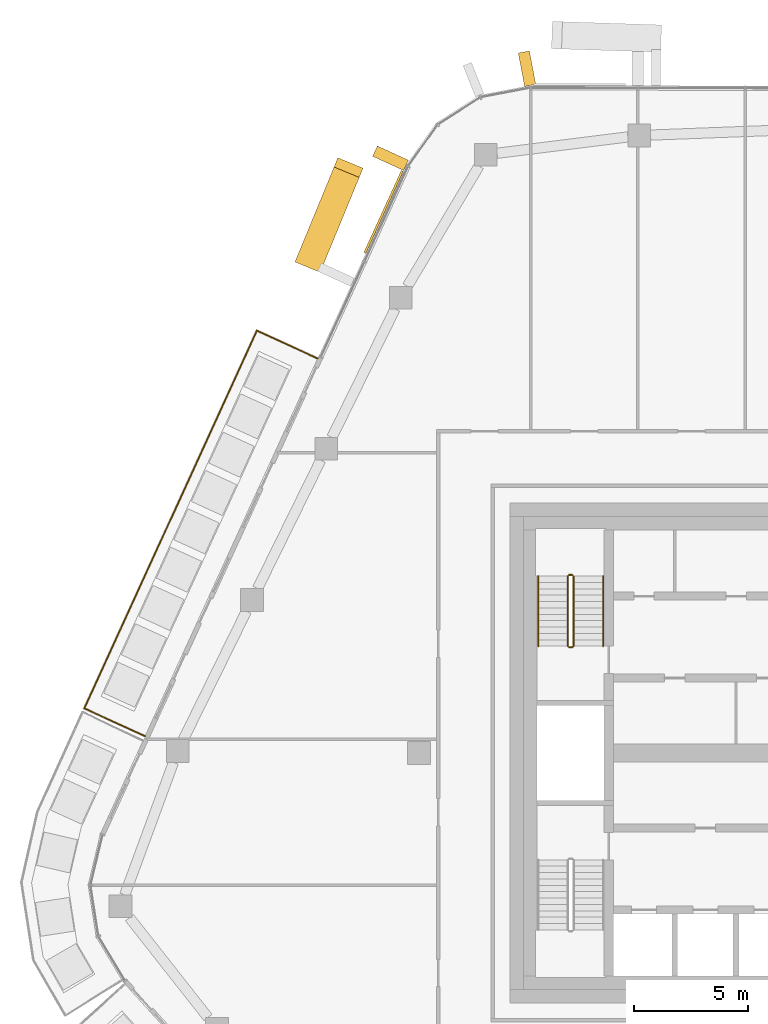
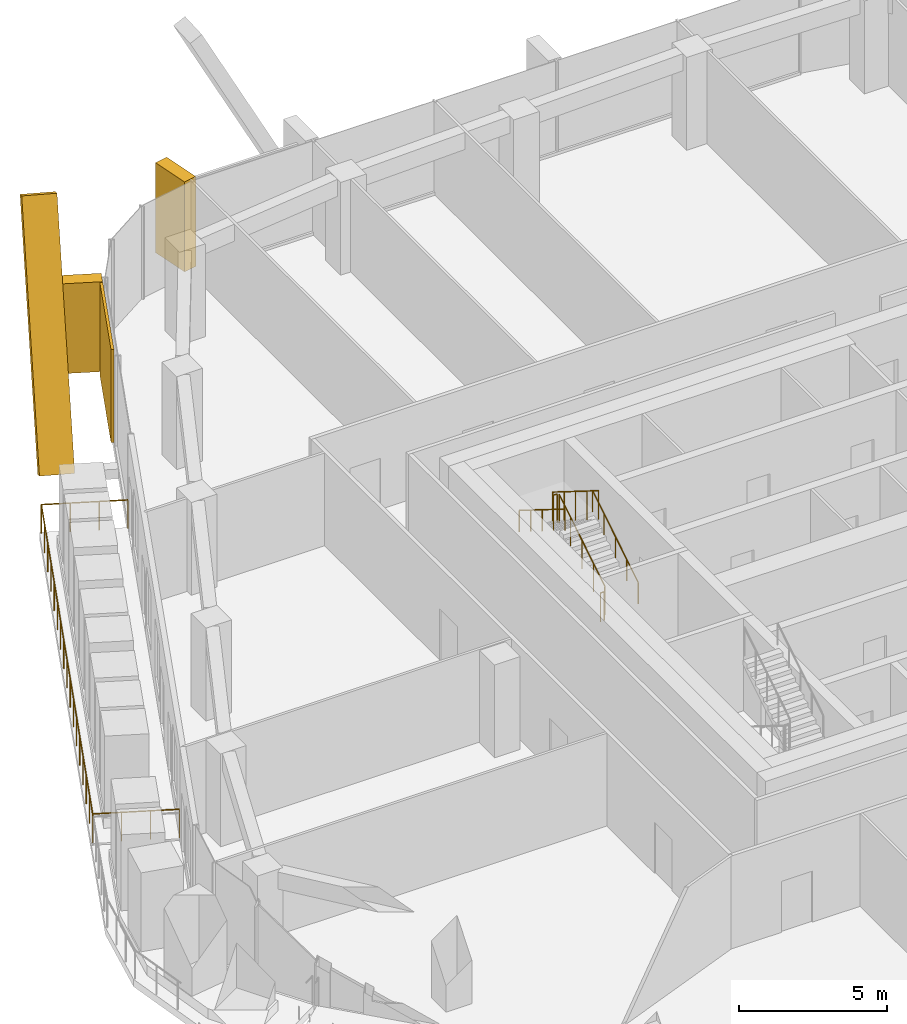
# One storey, part 21 of 24: 7 railings, 4 coverings, 2 elements without a shape of their own.
"""IFC4 building model written with IfcOpenShell, lengths in metres."""

from ifc_helpers import new_model, si_unit, direction, frame, origin, origin_2d, place, context, subcontext, project, spatial, rectangle, circle, extrude, material, layer, layer_set, material_profile, profile_set, type_object, element, aggregate, save


model = new_model("IFC4")

# Units and contexts
model_context = context("Model", 3, precision=1e-05, world=origin(), true_north=direction((0.0, 1.0)))
body_context = subcontext(model_context, "Body", "Model", "MODEL_VIEW")
ifc_project = project(units=[si_unit("LENGTHUNIT", "METRE"), si_unit("AREAUNIT", "SQUARE_METRE"), si_unit("VOLUMEUNIT", "CUBIC_METRE"), si_unit("PLANEANGLEUNIT", "RADIAN"), si_unit("MASSUNIT", "GRAM", prefix="KILO")], contexts=[model_context])

# Site, building, storey
site_placement = place(None, origin())
site = spatial("IfcSite", under=ifc_project, at=site_placement, CompositionType="ELEMENT")
building_placement = place(site_placement, origin())
building = spatial("IfcBuilding", under=site, at=building_placement, Name="Dongbaek Canopy Tower", CompositionType="ELEMENT")
storey_placement = place(building_placement, frame((0.0, 0.0, 311.0)))
storey = spatial("IfcBuildingStorey", under=building, at=storey_placement, Name="L66", CompositionType="ELEMENT", Elevation=311.0)

# Railing
ifc_material_1 = material(Name="Stainless steel", Category="steel")
railing_type_1 = type_object("IfcRailingType", Name="Balcony balustrade 1200", PredefinedType="BALUSTRADE", material=ifc_material_1)
railing_1_placement = place(storey_placement, frame((-22.455078125, 17.355712890625, 0.0)))
element("IfcRailing", 1, at=railing_1_placement, inside=storey, type_object=railing_type_1, Name="Balcony guard L66 2", PredefinedType="BALUSTRADE", context=body_context, shape_type="SweptSolid", body=[
    extrude(circle(Radius=0.02392578125, at=origin_2d()), frame((0.0, 0.0, 1.17578125), z_axis=(-0.90949421215, 0.415716583823, 0.0), x_axis=(-0.415716583823, -0.90949421215, 0.0)), (0.0, 0.0, 1.0), 2.93994140625),
    extrude(circle(Radius=0.02392578125, at=origin_2d()), frame((-2.673828125, 1.22216796875, 1.17578125), z_axis=(-0.41571932956, -0.909492957109, 0.0), x_axis=(0.909492957109, -0.41571932956, 0.0)), (0.0, 0.0, 1.0), 18.2666015625),
    extrude(circle(Radius=0.02392578125, at=origin_2d()), frame((-10.267578125, -15.39111328125, 1.17578125), z_axis=(0.90947716676, -0.415753873274, 0.0), x_axis=(0.415753873274, 0.90947716676, 0.0)), (0.0, 0.0, 1.0), 2.940185546875),
    extrude(circle(Radius=0.02099609375, at=origin_2d()), origin(), (0.0, 0.0, 1.0), 1.15185546875),
    extrude(circle(Radius=0.02099609375, at=origin_2d()), frame((-0.891357421875, 0.407470703125, 0.0)), (0.0, 0.0, 1.0), 1.15185546875),
    extrude(circle(Radius=0.02099609375, at=origin_2d()), frame((-1.782470703125, 0.814697265625, 0.0)), (0.0, 0.0, 1.0), 1.15185546875),
    extrude(circle(Radius=0.02099609375, at=origin_2d()), frame((-2.673828125, 1.22216796875, 0.0)), (0.0, 0.0, 1.0), 1.15185546875),
    extrude(circle(Radius=0.02099609375, at=origin_2d()), frame((-3.1484375, 0.183837890625, 0.0)), (0.0, 0.0, 1.0), 1.15185546875),
    extrude(circle(Radius=0.02099609375, at=origin_2d()), frame((-3.623046875, -0.8544921875, 0.0)), (0.0, 0.0, 1.0), 1.15185546875),
    extrude(circle(Radius=0.02099609375, at=origin_2d()), frame((-4.09765625, -1.892822265625, 0.0)), (0.0, 0.0, 1.0), 1.15185546875),
    extrude(circle(Radius=0.02099609375, at=origin_2d()), frame((-4.572265625, -2.93115234375, 0.0)), (0.0, 0.0, 1.0), 1.15185546875),
    extrude(circle(Radius=0.02099609375, at=origin_2d()), frame((-5.046875, -3.969482421875, 0.0)), (0.0, 0.0, 1.0), 1.15185546875),
    extrude(circle(Radius=0.02099609375, at=origin_2d()), frame((-5.521484375, -5.0078125, 0.0)), (0.0, 0.0, 1.0), 1.15185546875),
    extrude(circle(Radius=0.02099609375, at=origin_2d()), frame((-5.99609375, -6.046142578125, 0.0)), (0.0, 0.0, 1.0), 1.15185546875),
    extrude(circle(Radius=0.02099609375, at=origin_2d()), frame((-6.470703125, -7.08447265625, 0.0)), (0.0, 0.0, 1.0), 1.15185546875),
    extrude(circle(Radius=0.02099609375, at=origin_2d()), frame((-6.9453125, -8.122802734375, 0.0)), (0.0, 0.0, 1.0), 1.15185546875),
    extrude(circle(Radius=0.02099609375, at=origin_2d()), frame((-7.419921875, -9.1611328125, 0.0)), (0.0, 0.0, 1.0), 1.15185546875),
    extrude(circle(Radius=0.02099609375, at=origin_2d()), frame((-7.89453125, -10.199462890625, 0.0)), (0.0, 0.0, 1.0), 1.15185546875),
    extrude(circle(Radius=0.02099609375, at=origin_2d()), frame((-8.369140625, -11.23779296875, 0.0)), (0.0, 0.0, 1.0), 1.15185546875),
    extrude(circle(Radius=0.02099609375, at=origin_2d()), frame((-8.84375, -12.276123046875, 0.0)), (0.0, 0.0, 1.0), 1.15185546875),
    extrude(circle(Radius=0.02099609375, at=origin_2d()), frame((-9.318359375, -13.314453125, 0.0)), (0.0, 0.0, 1.0), 1.15185546875),
    extrude(circle(Radius=0.02099609375, at=origin_2d()), frame((-9.79296875, -14.352783203125, 0.0)), (0.0, 0.0, 1.0), 1.15185546875),
    extrude(circle(Radius=0.02099609375, at=origin_2d()), frame((-10.267578125, -15.39111328125, 0.0)), (0.0, 0.0, 1.0), 1.15185546875),
    extrude(circle(Radius=0.02099609375, at=origin_2d()), frame((-9.376220703125, -15.798583984375, 0.0)), (0.0, 0.0, 1.0), 1.15185546875),
    extrude(circle(Radius=0.02099609375, at=origin_2d()), frame((-8.48486328125, -16.2060546875, 0.0)), (0.0, 0.0, 1.0), 1.15185546875),
    extrude(circle(Radius=0.02099609375, at=origin_2d()), frame((-7.593505859375, -16.613525390625, 0.0)), (0.0, 0.0, 1.0), 1.15185546875),
])

# Curtain wall, coverings
ifc_material_2 = material(Name="Aluminium 6063-T6 pale anodised", Category="aluminium")
ifc_layer_1 = layer(ifc_material_2, 0.199951171875)
ifc_layer_set_1 = layer_set([ifc_layer_1], Name="CW-1 unitised tower curtain wall")
curtain_wall_type = type_object("IfcCurtainWallType", Name="CW-1 unitised tower curtain wall", PredefinedType="NOTDEFINED", material=ifc_layer_set_1)
curtain_wall_1_placement = place(storey_placement, origin())
curtain_wall_1 = element("IfcCurtainWall", 2, at=curtain_wall_1_placement, inside=storey, type_object=curtain_wall_type, Name="CW-1 curtain wall F2.1", PredefinedType="NOTDEFINED")
ifc_material_3 = material(Name="Aluminium 6063-T6 pale metal fin", Category="aluminium")
ifc_material_profile_1 = material_profile(ifc_material_3, rectangle(XDim=1.199951171875, YDim=0.5, at=origin_2d()), Name="Crease fin CF1 500 x 1200 pale metal")
ifc_profile_set_1 = profile_set([ifc_material_profile_1], Name="Aluminium 6063-T6 pale metal fin")
covering_type_1 = type_object("IfcCoveringType", Name="Crease fin CF1 500 x 1200 pale metal", PredefinedType="CLADDING", material=ifc_profile_set_1)
covering_1_placement = place(storey_placement, frame((-22.817138671875, 21.57763671875, -0.18994140625), z_axis=(0.180370444402, 0.437870628938, 0.880758658827), x_axis=(-0.924625473143, 0.380877584552, 0.0)))
covering_1 = element("IfcCovering", 3, at=covering_1_placement, type_object=covering_type_1, Name="Crease fin L66 L68 F2", PredefinedType="CLADDING", context=body_context, shape_type="SweptSolid", body=[
    extrude(rectangle(XDim=1.199951171875, YDim=0.5, at=origin_2d()), origin(), (0.0, 0.0, 1.0), 9.537109375),
])
ifc_material_4 = material(Name="Perforated aluminium 6063-T6 pale metal screen", Category="aluminium")
ifc_layer_2 = layer(ifc_material_4, 0.10009765625)
ifc_layer_set_2 = layer_set([ifc_layer_2], Name="Facet screen FS1 100 pale metal")
covering_type_2 = type_object("IfcCoveringType", Name="Facet screen FS1 100 pale metal", PredefinedType="CLADDING", material=ifc_layer_set_2)
covering_2_placement = place(storey_placement, frame((-19.558349609375, 23.8037109375, 0.0), z_axis=(0.0, 0.0, 1.0), x_axis=(-0.415712594974, -0.909496035384, 0.0)))
covering_2 = element("IfcCovering", 4, at=covering_2_placement, type_object=covering_type_2, Name="Facet screen L66 F2", PredefinedType="CLADDING", context=body_context, shape_type="SweptSolid", body=[
    extrude(rectangle(XDim=3.97021484375, YDim=0.10009765625, at=origin_2d()), origin(), (0.0, 0.0, 1.0), 3.820068359375),
])

# Curtain wall, covering
curtain_wall_2_placement = place(storey_placement, origin())
curtain_wall_2 = element("IfcCurtainWall", 5, at=curtain_wall_2_placement, inside=storey, type_object=curtain_wall_type, Name="CW-1 curtain wall K2.1", PredefinedType="NOTDEFINED")
ifc_material_5 = material(Name="Aluminium 6063-T6 pale metal fin", Category="aluminium")
ifc_material_profile_2 = material_profile(ifc_material_5, rectangle(XDim=1.5, YDim=0.5, at=origin_2d()), Name="Fin FN1 500 x 1500 pale metal")
ifc_profile_set_2 = profile_set([ifc_material_profile_2], Name="Aluminium 6063-T6 pale metal fin")
covering_type_3 = type_object("IfcCoveringType", Name="Fin FN1 500 x 1500 pale metal", PredefinedType="CLADDING", material=ifc_profile_set_2)
covering_3_placement = place(storey_placement, frame((-13.24658203125, 30.10302734375, 0.1201171875), z_axis=(0.0, 0.0, 1.0), x_axis=(-0.187413340747, 0.982281140871, 0.0)))
covering_3 = element("IfcCovering", 6, at=covering_3_placement, type_object=covering_type_3, Name="Fin K2.1.1", PredefinedType="CLADDING", context=body_context, shape_type="SweptSolid", body=[
    extrude(rectangle(XDim=1.5, YDim=0.5, at=origin_2d()), origin(), (0.0, 0.0, 1.0), 3.699951171875),
])
aggregate(curtain_wall_2, [covering_3])

# Covering
covering_4_placement = place(storey_placement, frame((-19.2529296875, 26.16552734375, 0.1201171875), z_axis=(0.0, 0.0, 1.0), x_axis=(-0.909495883664, 0.415712926909, 0.0)))
covering_4 = element("IfcCovering", 7, at=covering_4_placement, type_object=covering_type_3, Name="Fin F2.1.1", PredefinedType="CLADDING", context=body_context, shape_type="SweptSolid", body=[
    extrude(rectangle(XDim=1.5, YDim=0.5, at=origin_2d()), origin(), (0.0, 0.0, 1.0), 3.699951171875),
])

aggregate(curtain_wall_1, [covering_4, covering_1, covering_2])

# Railings
ifc_material_6 = material(Name="Stainless steel tube and balusters", Category="steel")
railing_type_2 = type_object("IfcRailingType", Name="Stair guard 1200", PredefinedType="GUARDRAIL", material=ifc_material_6)
railing_2_placement = place(storey_placement, frame((-11.199951171875, 4.699951171875, 0.175048828125)))
element("IfcRailing", 8, at=railing_2_placement, inside=storey, type_object=railing_type_2, Name="L66 ST-C stair guard 1", PredefinedType="GUARDRAIL", context=body_context, shape_type="SweptSolid", body=[
    extrude(circle(Radius=0.02392578125, at=origin_2d()), frame((0.0, 0.0, 1.17578125), z_axis=(0.0, 0.847998304005, 0.529998940003), x_axis=(-1.0, 0.0, 0.0)), (0.0, 0.0, 1.0), 3.632080078125),
    extrude(circle(Radius=0.02099609375, at=origin_2d()), origin(), (0.0, 0.0, 1.0), 1.15185546875),
    extrude(circle(Radius=0.02099609375, at=origin_2d()), frame((0.0, 0.77001953125, 0.481201171875)), (0.0, 0.0, 1.0), 1.15185546875),
    extrude(circle(Radius=0.02099609375, at=origin_2d()), frame((0.0, 1.5400390625, 0.96240234375)), (0.0, 0.0, 1.0), 1.15185546875),
    extrude(circle(Radius=0.02099609375, at=origin_2d()), frame((0.0, 2.31005859375, 1.44384765625)), (0.0, 0.0, 1.0), 1.15185546875),
    extrude(circle(Radius=0.02099609375, at=origin_2d()), frame((0.0, 3.080078125, 1.925048828125)), (0.0, 0.0, 1.0), 1.15185546875),
])
railing_3_placement = place(storey_placement, frame((-11.25, 7.830078125, 2.10009765625)))
element("IfcRailing", 9, at=railing_3_placement, inside=storey, type_object=railing_type_2, Name="L66 ST-C stair guard 2", PredefinedType="GUARDRAIL", context=body_context, shape_type="SweptSolid", body=[
    extrude(circle(Radius=0.02392578125, at=origin_2d()), frame((0.0, 0.0, 1.17578125), z_axis=(-1.0, 0.0, 0.0), x_axis=(0.0, -1.0, 0.0)), (0.0, 0.0, 1.0), 0.14990234375),
    extrude(circle(Radius=0.02099609375, at=origin_2d()), origin(), (0.0, 0.0, 1.0), 1.15185546875),
    extrude(circle(Radius=0.02099609375, at=origin_2d()), frame((-0.14990234375, 0.0, 0.0)), (0.0, 0.0, 1.0), 1.15185546875),
])
railing_4_placement = place(storey_placement, frame((-11.449951171875, 7.780029296875, 2.27490234375)))
element("IfcRailing", 10, at=railing_4_placement, inside=storey, type_object=railing_type_2, Name="L66 ST-C stair guard 3", PredefinedType="GUARDRAIL", context=body_context, shape_type="SweptSolid", body=[
    extrude(circle(Radius=0.02392578125, at=origin_2d()), frame((0.0, 0.0, 1.17578125), z_axis=(0.0, -0.847998304005, 0.529998940003), x_axis=(1.0, 0.0, 0.0)), (0.0, 0.0, 1.0), 3.632080078125),
    extrude(circle(Radius=0.02099609375, at=origin_2d()), origin(), (0.0, 0.0, 1.0), 1.15185546875),
    extrude(circle(Radius=0.02099609375, at=origin_2d()), frame((0.0, -0.77001953125, 0.481201171875)), (0.0, 0.0, 1.0), 1.15185546875),
    extrude(circle(Radius=0.02099609375, at=origin_2d()), frame((0.0, -1.5400390625, 0.96240234375)), (0.0, 0.0, 1.0), 1.15185546875),
    extrude(circle(Radius=0.02099609375, at=origin_2d()), frame((0.0, -2.31005859375, 1.44384765625)), (0.0, 0.0, 1.0), 1.15185546875),
    extrude(circle(Radius=0.02099609375, at=origin_2d()), frame((0.0, -3.080078125, 1.925048828125)), (0.0, 0.0, 1.0), 1.15185546875),
])
railing_5_placement = place(storey_placement, frame((-11.25, 4.64990234375, 0.0)))
element("IfcRailing", 11, at=railing_5_placement, inside=storey, type_object=railing_type_2, Name="L66 ST-C stair guard 4", PredefinedType="GUARDRAIL", context=body_context, shape_type="SweptSolid", body=[
    extrude(circle(Radius=0.02392578125, at=origin_2d()), frame((0.0, 0.0, 1.17578125), z_axis=(-1.0, 0.0, 0.0), x_axis=(0.0, -1.0, 0.0)), (0.0, 0.0, 1.0), 0.14990234375),
    extrude(circle(Radius=0.02099609375, at=origin_2d()), origin(), (0.0, 0.0, 1.0), 1.15185546875),
    extrude(circle(Radius=0.02099609375, at=origin_2d()), frame((-0.14990234375, 0.0, 0.0)), (0.0, 0.0, 1.0), 1.15185546875),
])
ifc_material_7 = material(Name="Stainless steel tube", Category="steel")
railing_type_3 = type_object("IfcRailingType", Name="Stair handrail 900", PredefinedType="HANDRAIL", material=ifc_material_7)
railing_6_placement = place(storey_placement, frame((-9.89990234375, 4.699951171875, 0.175048828125)))
element("IfcRailing", 12, at=railing_6_placement, inside=storey, type_object=railing_type_3, Name="L66 ST-C stair handrail 1", PredefinedType="HANDRAIL", context=body_context, shape_type="SweptSolid", body=[
    extrude(circle(Radius=0.02392578125, at=origin_2d()), frame((0.0, 0.0, 0.8759765625), z_axis=(0.0, 0.847998304005, 0.529998940003), x_axis=(-1.0, 0.0, 0.0)), (0.0, 0.0, 1.0), 3.632080078125),
    extrude(circle(Radius=0.02099609375, at=origin_2d()), origin(), (0.0, 0.0, 1.0), 0.851806640625),
    extrude(circle(Radius=0.02099609375, at=origin_2d()), frame((0.0, 0.77001953125, 0.481201171875)), (0.0, 0.0, 1.0), 0.851806640625),
    extrude(circle(Radius=0.02099609375, at=origin_2d()), frame((0.0, 1.5400390625, 0.96240234375)), (0.0, 0.0, 1.0), 0.851806640625),
    extrude(circle(Radius=0.02099609375, at=origin_2d()), frame((0.0, 2.31005859375, 1.44384765625)), (0.0, 0.0, 1.0), 0.851806640625),
    extrude(circle(Radius=0.02099609375, at=origin_2d()), frame((0.0, 3.080078125, 1.925048828125)), (0.0, 0.0, 1.0), 0.851806640625),
])
railing_7_placement = place(storey_placement, frame((-12.75, 7.780029296875, 2.27490234375)))
element("IfcRailing", 13, at=railing_7_placement, inside=storey, type_object=railing_type_3, Name="L66 ST-C stair handrail 2", PredefinedType="HANDRAIL", context=body_context, shape_type="SweptSolid", body=[
    extrude(circle(Radius=0.02392578125, at=origin_2d()), frame((0.0, 0.0, 0.8759765625), z_axis=(0.0, -0.847998304005, 0.529998940003), x_axis=(1.0, 0.0, 0.0)), (0.0, 0.0, 1.0), 3.632080078125),
    extrude(circle(Radius=0.02099609375, at=origin_2d()), origin(), (0.0, 0.0, 1.0), 0.851806640625),
    extrude(circle(Radius=0.02099609375, at=origin_2d()), frame((0.0, -0.77001953125, 0.481201171875)), (0.0, 0.0, 1.0), 0.851806640625),
    extrude(circle(Radius=0.02099609375, at=origin_2d()), frame((0.0, -1.5400390625, 0.96240234375)), (0.0, 0.0, 1.0), 0.851806640625),
    extrude(circle(Radius=0.02099609375, at=origin_2d()), frame((0.0, -2.31005859375, 1.44384765625)), (0.0, 0.0, 1.0), 0.851806640625),
    extrude(circle(Radius=0.02099609375, at=origin_2d()), frame((0.0, -3.080078125, 1.925048828125)), (0.0, 0.0, 1.0), 0.851806640625),
])

save(model, "model.ifc")
